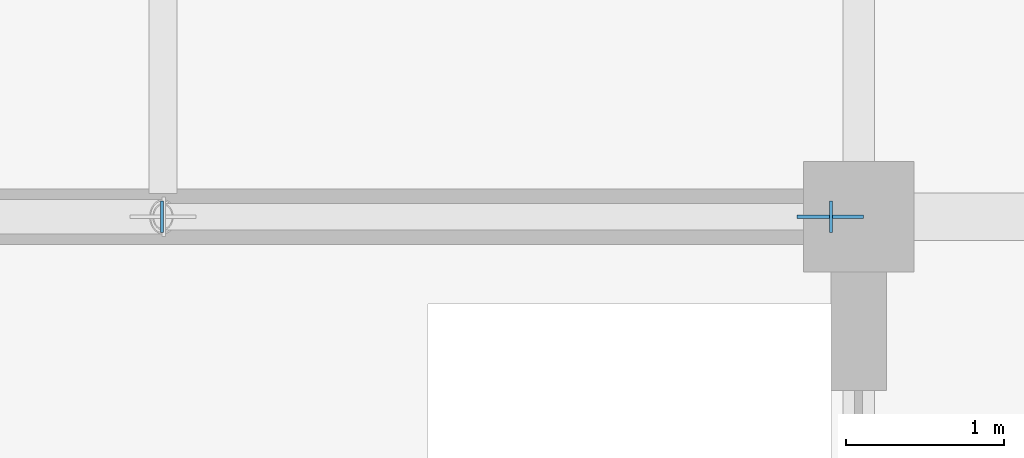
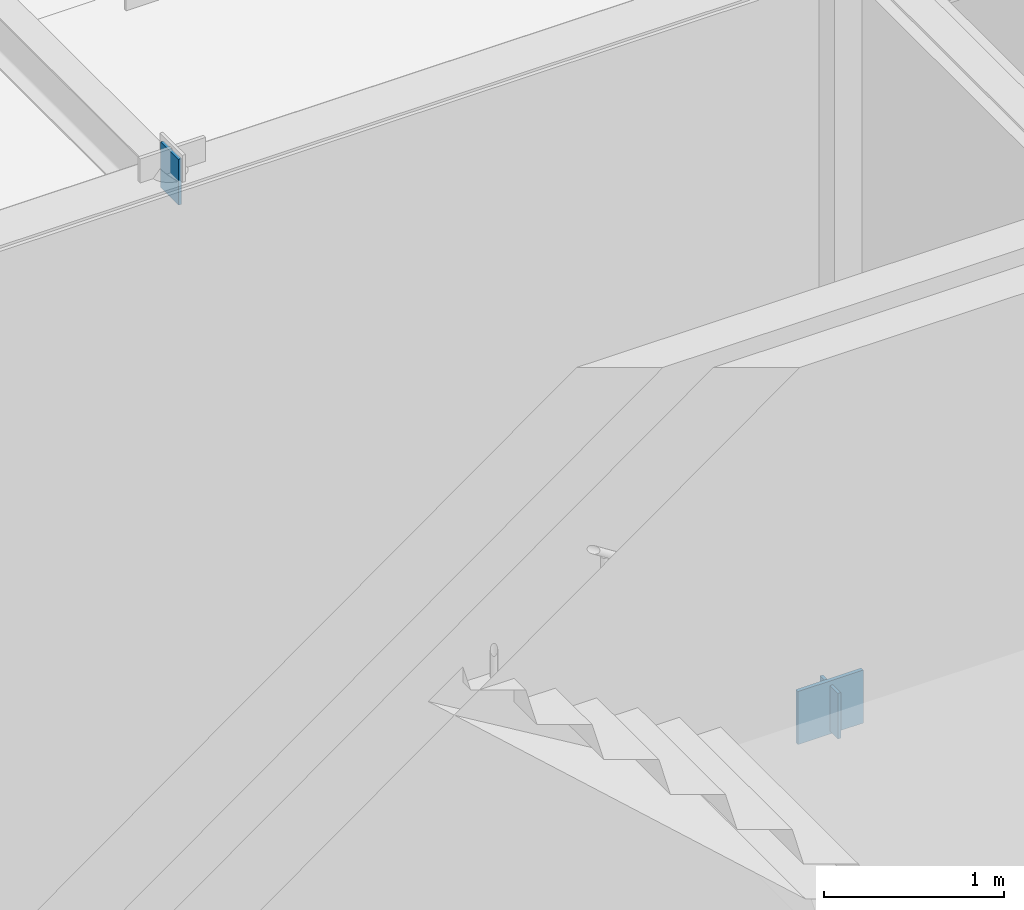
# One storey, part 133 of 184: 3 plates.
"""IFC4 building model written with IfcOpenShell, lengths in metres."""

from ifc_helpers import new_model, si_unit, direction, frame, origin, origin_2d, place, context, subcontext, project, spatial, rectangle, extrude, material, layer, layer_set, type_object, element, save


model = new_model("IFC4")

# Units and contexts
model_context = context("Model", 3, precision=1e-05, world=origin(), true_north=direction((0.0, 1.0)))
body_context = subcontext(model_context, "Body", "Model", "MODEL_VIEW")
ifc_project = project(units=[si_unit("LENGTHUNIT", "METRE"), si_unit("AREAUNIT", "SQUARE_METRE"), si_unit("VOLUMEUNIT", "CUBIC_METRE"), si_unit("PLANEANGLEUNIT", "RADIAN"), si_unit("MASSUNIT", "GRAM", prefix="KILO")], contexts=[model_context])

# Site, building, storey
site_placement = place(None, origin())
site = spatial("IfcSite", under=ifc_project, at=site_placement, CompositionType="ELEMENT")
building_placement = place(site_placement, origin())
building = spatial("IfcBuilding", under=site, at=building_placement, Name="Zhaolan Boulevard Law Courts", CompositionType="ELEMENT")
storey_placement = place(building_placement, frame((0.0, 0.0, 5.39990234375)))
storey = spatial("IfcBuildingStorey", under=building, at=storey_placement, Name="L01", CompositionType="ELEMENT", Elevation=5.39990234375)

# Plates
ifc_material_1 = material(Name="Structural steel Q355B", Category="steel")
ifc_layer_1 = layer(ifc_material_1, 0.02392578125)
ifc_layer_set_1 = layer_set([ifc_layer_1])
plate_type_1 = type_object("IfcPlateType", Name="BRACE GUSSET PLATE 24", PredefinedType="SHEET", material=ifc_layer_set_1)
plate_placement = place(storey_placement, frame((26.219970703125, 70.0, -0.14990234375), z_axis=(0.0, 0.0, 1.0), x_axis=(1.0, 0.0, 0.0)))
element("IfcPlate", 1, at=plate_placement, inside=storey, type_object=plate_type_1, Name="Brace Gusset Connection Plate GP-W2-L01-NA2", PredefinedType="SHEET", context=body_context, shape_type="SweptSolid", body=[
    extrude(rectangle(XDim=0.419921875, YDim=0.02392578125, at=origin_2d()), origin(), (0.0, 0.0, 1.0), 0.360107421875),
])
ifc_material_2 = material(Name="Structural steel Q355B", Category="steel")
ifc_layer_2 = layer(ifc_material_2, 0.02001953125)
ifc_layer_set_2 = layer_set([ifc_layer_2])
plate_type_2 = type_object("IfcPlateType", Name="END CAP PLATE 20", PredefinedType="SHEET", material=ifc_layer_set_2)
for number, where, z_axis, x_axis, name in (
    (2, (26.22509765625, 70.0, -0.131103515625), (0.0, 0.0, 1.0), (-1.0, 0.0, 0.0), "Hollow Section End-Cap Plate ECP-1153"),
    (3, (21.994873046875, 70.0, 4.97119140625), (0.0, 0.0, 1.0), (-1.0, 0.0, 0.0), "Hollow Section End-Cap Plate ECP-1154"),
):
    element("IfcPlate", number, at=place(storey_placement, frame(where, z_axis=z_axis, x_axis=x_axis)), inside=storey, type_object=plate_type_2, Name=name, PredefinedType="SHEET", context=body_context, shape_type="SweptSolid", body=[
        extrude(rectangle(XDim=0.02001953125, YDim=0.197998046875, at=origin_2d()), origin(), (0.0, 0.0, 1.0), 0.31005859375),
    ])

save(model, "model.ifc")
